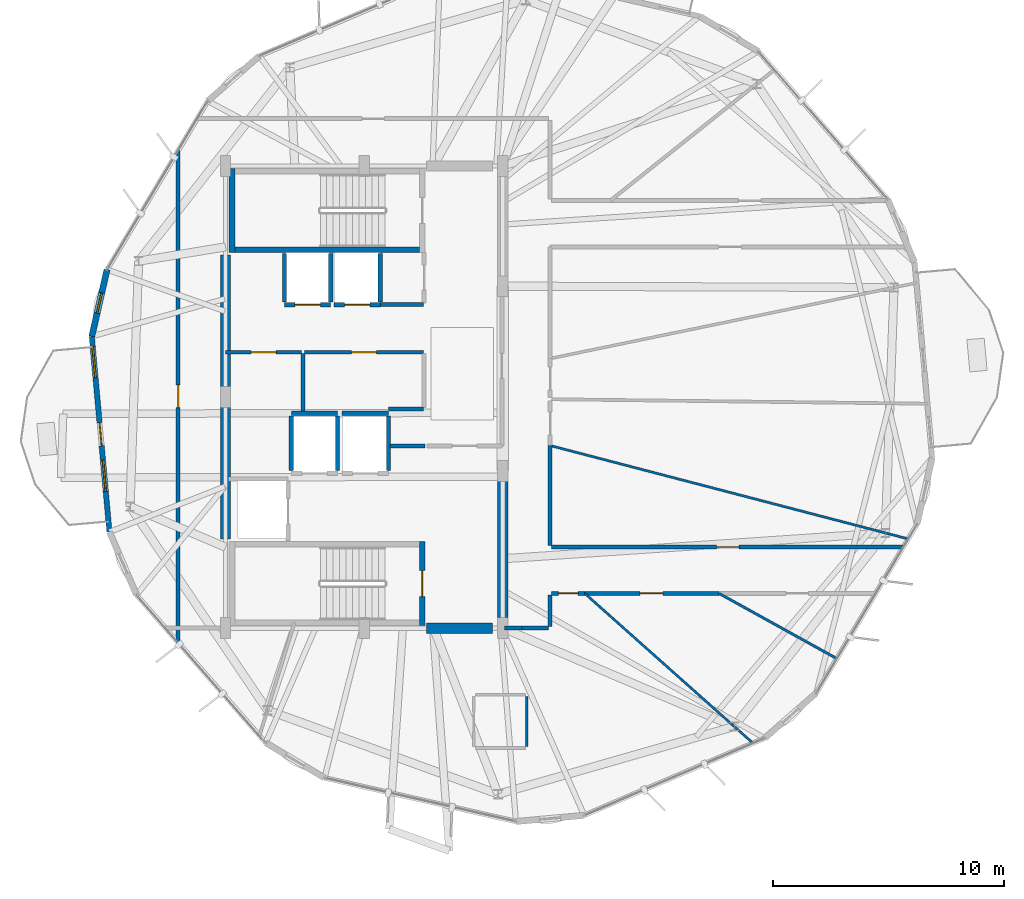
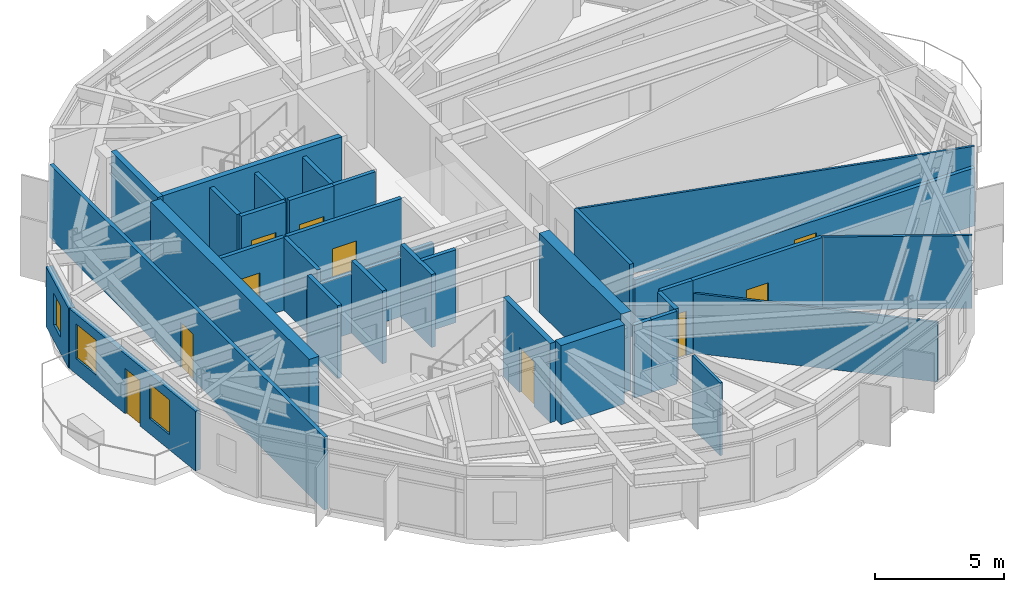
# One storey, part 18 of 23: 36 walls, 10 doors, 3 windows, 13 openings.
"""IFC4 building model written with IfcOpenShell, lengths in metres."""

from ifc_helpers import new_model, si_unit, direction, frame, frame_2d, origin, place, context, subcontext, project, spatial, rectangle, extrude, material, layer, layer_set, type_object, element, fill, save


model = new_model("IFC4")

# Units and contexts
model_context = context("Model", 3, precision=1e-05, world=origin(), true_north=direction((0.0, 1.0)))
body_context = subcontext(model_context, "Body", "Model", "MODEL_VIEW")
ifc_project = project(units=[si_unit("LENGTHUNIT", "METRE"), si_unit("AREAUNIT", "SQUARE_METRE"), si_unit("VOLUMEUNIT", "CUBIC_METRE"), si_unit("PLANEANGLEUNIT", "RADIAN"), si_unit("MASSUNIT", "GRAM", prefix="KILO")], contexts=[model_context])

# Site, building, storey
site_placement = place(None, origin())
site = spatial("IfcSite", under=ifc_project, at=site_placement, CompositionType="ELEMENT")
building_placement = place(site_placement, origin())
building = spatial("IfcBuilding", under=site, at=building_placement, Name="Soratama Intermodal Tower", CompositionType="ELEMENT")
storey_placement = place(building_placement, frame((0.0, 0.0, 250.0)))
storey = spatial("IfcBuildingStorey", under=building, at=storey_placement, Name="L63", CompositionType="ELEMENT", Elevation=250.0)

# Wall, openings, door, windows
ifc_material_1 = material(Name="Concrete f'c 42 MPa", Category="concrete")
ifc_layer_1 = layer(ifc_material_1, 0.22998046875)
ifc_layer_set_1 = layer_set([ifc_layer_1], Name="Concrete f'c 42 MPa")
wall_type_1 = type_object("IfcWallType", Name="EW-BAL-230", PredefinedType="SOLIDWALL", material=ifc_layer_set_1)
wall_1_placement = place(storey_placement, frame((26.810302734375, 27.62451171875, 0.0), z_axis=(0.0, 0.0, 1.0), x_axis=(0.089932307003, -0.995947880241, 0.0)))
wall_1 = element("IfcWall", 1, at=wall_1_placement, inside=storey, type_object=wall_type_1, Name="L63 Terrace Wall F04", PredefinedType="SOLIDWALL", context=body_context, shape_type="SweptSolid", body=[
    extrude(rectangle(XDim=8.499755859375, YDim=0.22998046875, at=frame_2d((4.25, 0.0))), origin(), (0.0, 0.0, 1.0), 2.8291015625),
])
opening_1_placement = place(wall_1_placement, frame((3.75, 0.0, 0.0)))
opening_1 = element("IfcOpeningElement", 2, at=opening_1_placement, cuts=wall_1, Name="Opening ED-2", PredefinedType="OPENING", context=body_context, shape_type="SweptSolid", body=[
    extrude(rectangle(XDim=1.0, YDim=2.14990234375, at=frame_2d((0.5, 1.074951171875))), frame((0.0, 0.125, 0.0), z_axis=(0.0, -1.0, 0.0), x_axis=(1.0, 0.0, 0.0)), (0.0, 0.0, 1.0), 0.25),
])
opening_2_placement = place(wall_1_placement, frame((0.43994140625, 0.0, 0.719970703125)))
opening_2 = element("IfcOpeningElement", 3, at=opening_2_placement, cuts=wall_1, Name="Opening WN-4", PredefinedType="OPENING", context=body_context, shape_type="SweptSolid", body=[
    extrude(rectangle(XDim=1.35009765625, YDim=1.64990234375, at=frame_2d((0.675048828125, 0.824951171875))), frame((0.0, 0.125, 0.0), z_axis=(0.0, -1.0, 0.0), x_axis=(1.0, 0.0, 0.0)), (0.0, 0.0, 1.0), 0.25),
])
opening_3_placement = place(wall_1_placement, frame((5.389892578125, 0.0, 0.719970703125)))
opening_3 = element("IfcOpeningElement", 4, at=opening_3_placement, cuts=wall_1, Name="Opening WN-4", PredefinedType="OPENING", context=body_context, shape_type="SweptSolid", body=[
    extrude(rectangle(XDim=1.35009765625, YDim=1.64990234375, at=frame_2d((0.675048828125, 0.824951171875))), frame((0.0, 0.125, 0.0), z_axis=(0.0, -1.0, 0.0), x_axis=(1.0, 0.0, 0.0)), (0.0, 0.0, 1.0), 0.25),
])
ifc_material_2 = material(Name="Double-glazed aluminium door", Category="aluminium")
door_type_1 = type_object("IfcDoorType", Name="DR-BAL-1000", OperationType="NOTDEFINED", PredefinedType="DOOR", material=ifc_material_2)
door_1_placement = place(opening_1_placement, origin())
door_1 = element("IfcDoor", 5, at=door_1_placement, inside=storey, type_object=door_type_1, Name="L63 Balcony Door F04", OperationType="SINGLE_SWING_RIGHT", OverallHeight=2.14990234375, OverallWidth=1.0, PredefinedType="DOOR", context=body_context, shape_type="SweptSolid", body=[
    extrude(rectangle(XDim=1.0, YDim=2.14990234375, at=frame_2d((0.5, 1.074951171875))), frame((0.0, 0.02490234375, 0.0), z_axis=(0.0, -1.0, 0.0), x_axis=(1.0, 0.0, 0.0)), (0.0, 0.0, 1.0), 0.050048828125),
])
fill(opening_1, door_1)
ifc_material_3 = material(Name="Double-glazed aluminium window", Category="aluminium")
window_type_1 = type_object("IfcWindowType", Name="WN-FAC-1350", PartitioningType="SINGLE_PANEL", PredefinedType="WINDOW", material=ifc_material_3)
window_1_placement = place(opening_2_placement, origin())
window_1 = element("IfcWindow", 6, at=window_1_placement, inside=storey, type_object=window_type_1, Name="L63 Window A F04", OverallHeight=1.64990234375, OverallWidth=1.35009765625, PartitioningType="SINGLE_PANEL", PredefinedType="WINDOW", context=body_context, shape_type="SweptSolid", body=[
    extrude(rectangle(XDim=1.35009765625, YDim=1.64990234375, at=frame_2d((0.675048828125, 0.824951171875))), frame((0.0, 0.030029296875, 0.0), z_axis=(0.0, -1.0, 0.0), x_axis=(1.0, 0.0, 0.0)), (0.0, 0.0, 1.0), 0.06005859375),
])
fill(opening_2, window_1)
window_2_placement = place(opening_3_placement, origin())
window_2 = element("IfcWindow", 7, at=window_2_placement, inside=storey, type_object=window_type_1, Name="L63 Window B F04", OverallHeight=1.64990234375, OverallWidth=1.35009765625, PartitioningType="SINGLE_PANEL", PredefinedType="WINDOW", context=body_context, shape_type="SweptSolid", body=[
    extrude(rectangle(XDim=1.35009765625, YDim=1.64990234375, at=frame_2d((0.675048828125, 0.824951171875))), frame((0.0, 0.030029296875, 0.0), z_axis=(0.0, -1.0, 0.0), x_axis=(1.0, 0.0, 0.0)), (0.0, 0.0, 1.0), 0.06005859375),
])
fill(opening_3, window_2)

# Wall, opening, window
ifc_material_4 = material(Name="Concrete f'c 42 MPa", Category="concrete")
ifc_layer_2 = layer(ifc_material_4, 0.27001953125)
ifc_layer_set_2 = layer_set([ifc_layer_2], Name="Concrete f'c 42 MPa")
wall_type_2 = type_object("IfcWallType", Name="EW-CRN-270", PredefinedType="SOLIDWALL", material=ifc_layer_set_2)
wall_2_placement = place(storey_placement, frame((27.469482421875, 30.51708984375, 0.0), z_axis=(0.0, 0.0, 1.0), x_axis=(-0.222190162384, -0.975003349604, 0.0)))
wall_2 = element("IfcWall", 8, at=wall_2_placement, inside=storey, type_object=wall_type_2, Name="L63 Corner Closure Wall 03", PredefinedType="SOLIDWALL", context=body_context, shape_type="SweptSolid", body=[
    extrude(rectangle(XDim=2.966796875, YDim=0.27001953125, at=frame_2d((1.4833984375, 0.0))), origin(), (0.0, 0.0, 1.0), 2.8291015625),
])
opening_4_placement = place(wall_2_placement, frame((1.033203125, 0.0, 0.75)))
opening_4 = element("IfcOpeningElement", 9, at=opening_4_placement, cuts=wall_2, Name="Opening WN-6", PredefinedType="OPENING", context=body_context, shape_type="SweptSolid", body=[
    extrude(rectangle(XDim=0.89990234375, YDim=1.5, at=frame_2d((0.449951171875, 0.75))), frame((0.0, 0.14501953125, 0.0), z_axis=(0.0, -1.0, 0.0), x_axis=(1.0, 0.0, 0.0)), (0.0, 0.0, 1.0), 0.2900390625),
])
ifc_material_5 = material(Name="Double-glazed aluminium window", Category="aluminium")
window_type_2 = type_object("IfcWindowType", Name="WN-FAC-900", PartitioningType="SINGLE_PANEL", PredefinedType="WINDOW", material=ifc_material_5)
window_3_placement = place(opening_4_placement, origin())
window_3 = element("IfcWindow", 10, at=window_3_placement, inside=storey, type_object=window_type_2, Name="L63 Corner Window 03", OverallHeight=1.5, OverallWidth=0.89990234375, PartitioningType="SINGLE_PANEL", PredefinedType="WINDOW", context=body_context, shape_type="SweptSolid", body=[
    extrude(rectangle(XDim=0.89990234375, YDim=1.5, at=frame_2d((0.449951171875, 0.75))), frame((0.0, 0.030029296875, 0.0), z_axis=(0.0, -1.0, 0.0), x_axis=(1.0, 0.0, 0.0)), (0.0, 0.0, 1.0), 0.06005859375),
])
fill(opening_4, window_3)

# Wall, opening, door
ifc_material_6 = material(Name="Fire-rated gypsum stud partition", Category="concrete")
ifc_layer_3 = layer(ifc_material_6, 0.169921875)
ifc_layer_set_3 = layer_set([ifc_layer_3], Name="Fire-rated gypsum stud partition")
wall_type_3 = type_object("IfcWallType", Name="IW-PART-R170", PredefinedType="PARTITIONING", material=ifc_layer_set_3)
wall_3_placement = place(storey_placement, frame((30.550048828125, 14.363037109375, 0.0), z_axis=(0.0, 0.0, 1.0), x_axis=(0.0, 1.0, 0.0)))
wall_3 = element("IfcWall", 11, at=wall_3_placement, inside=storey, type_object=wall_type_3, Name="L63 Partition W-L63-TP001", PredefinedType="PARTITIONING", context=body_context, shape_type="SweptSolid", body=[
    extrude(rectangle(XDim=21.31298828125, YDim=0.169921875, at=frame_2d((10.656494140625, 0.0))), origin(), (0.0, 0.0, 1.0), 3.449951171875),
])
opening_5_placement = place(wall_3_placement, frame((10.181884765625, 0.0, 0.0)))
opening_5 = element("IfcOpeningElement", 12, at=opening_5_placement, cuts=wall_3, Name="Opening ID-5", PredefinedType="OPENING", context=body_context, shape_type="SweptSolid", body=[
    extrude(rectangle(XDim=0.97998046875, YDim=2.14990234375, at=frame_2d((0.489990234375, 1.074951171875))), frame((0.0, 0.094970703125, 0.0), z_axis=(0.0, -1.0, 0.0), x_axis=(1.0, 0.0, 0.0)), (0.0, 0.0, 1.0), 0.18994140625),
])
ifc_material_7 = material(Name="Solid hardwood acoustic door", Category="wood")
door_type_2 = type_object("IfcDoorType", Name="DR-OFF-980", OperationType="NOTDEFINED", PredefinedType="DOOR", material=ifc_material_7)
door_2_placement = place(opening_5_placement, origin())
door_2 = element("IfcDoor", 13, at=door_2_placement, inside=storey, type_object=door_type_2, Name="L63 Door D-L63-TP001", OperationType="SINGLE_SWING_RIGHT", OverallHeight=2.14990234375, OverallWidth=0.97998046875, PredefinedType="DOOR", context=body_context, shape_type="SweptSolid", body=[
    extrude(rectangle(XDim=0.97998046875, YDim=2.14990234375, at=frame_2d((0.489990234375, 1.074951171875))), frame((0.0, 0.02490234375, 0.0), z_axis=(0.0, -1.0, 0.0), x_axis=(1.0, 0.0, 0.0)), (0.0, 0.0, 1.0), 0.050048828125),
])
fill(opening_5, door_2)

wall_4_placement = place(storey_placement, frame((46.719970703125, 18.5, 0.0), z_axis=(0.0, 0.0, 1.0), x_axis=(1.0, 0.0, 0.0)))
wall_4 = element("IfcWall", 14, at=wall_4_placement, inside=storey, type_object=wall_type_3, Name="L63 Partition W-L63-TP006", PredefinedType="PARTITIONING", context=body_context, shape_type="SweptSolid", body=[
    extrude(rectangle(XDim=15.22314453125, YDim=0.169921875, at=frame_2d((7.611572265625, 0.0))), origin(), (0.0, 0.0, 1.0), 2.7451171875),
])
opening_6_placement = place(wall_4_placement, frame((7.135986328125, 0.0, 0.0)))
opening_6 = element("IfcOpeningElement", 15, at=opening_6_placement, cuts=wall_4, Name="Opening ID-5", PredefinedType="OPENING", context=body_context, shape_type="SweptSolid", body=[
    extrude(rectangle(XDim=0.97998046875, YDim=2.14990234375, at=frame_2d((0.489990234375, 1.074951171875))), frame((0.0, 0.094970703125, 0.0), z_axis=(0.0, -1.0, 0.0), x_axis=(1.0, 0.0, 0.0)), (0.0, 0.0, 1.0), 0.18994140625),
])
door_3_placement = place(opening_6_placement, origin())
door_3 = element("IfcDoor", 16, at=door_3_placement, inside=storey, type_object=door_type_2, Name="L63 Door D-L63-TP003", OperationType="SINGLE_SWING_RIGHT", OverallHeight=2.14990234375, OverallWidth=0.97998046875, PredefinedType="DOOR", context=body_context, shape_type="SweptSolid", body=[
    extrude(rectangle(XDim=0.97998046875, YDim=2.14990234375, at=frame_2d((0.489990234375, 1.074951171875))), frame((0.0, 0.02490234375, 0.0), z_axis=(0.0, -1.0, 0.0), x_axis=(1.0, 0.0, 0.0)), (0.0, 0.0, 1.0), 0.050048828125),
])
fill(opening_6, door_3)

wall_5_placement = place(storey_placement, frame((53.9619140625, 16.5, 0.0), z_axis=(0.0, 0.0, 1.0), x_axis=(-1.0, 0.0, 0.0)))
wall_5 = element("IfcWall", 17, at=wall_5_placement, inside=storey, type_object=wall_type_3, Name="L63 Partition W-L63-TP014", PredefinedType="PARTITIONING", context=body_context, shape_type="SweptSolid", body=[
    extrude(rectangle(XDim=5.81298828125, YDim=0.169921875, at=frame_2d((2.906494140625, 0.0))), origin(), (0.0, 0.0, 1.0), 3.449951171875),
])
opening_7_placement = place(wall_5_placement, frame((2.431884765625, 0.0, 0.0)))
opening_7 = element("IfcOpeningElement", 18, at=opening_7_placement, cuts=wall_5, Name="Opening ID-5", PredefinedType="OPENING", context=body_context, shape_type="SweptSolid", body=[
    extrude(rectangle(XDim=0.97998046875, YDim=2.14990234375, at=frame_2d((0.489990234375, 1.074951171875))), frame((0.0, 0.094970703125, 0.0), z_axis=(0.0, -1.0, 0.0), x_axis=(1.0, 0.0, 0.0)), (0.0, 0.0, 1.0), 0.18994140625),
])
door_4_placement = place(opening_7_placement, origin())
door_4 = element("IfcDoor", 19, at=door_4_placement, inside=storey, type_object=door_type_2, Name="L63 Door D-L63-TP008", OperationType="SINGLE_SWING_LEFT", OverallHeight=2.14990234375, OverallWidth=0.97998046875, PredefinedType="DOOR", context=body_context, shape_type="SweptSolid", body=[
    extrude(rectangle(XDim=0.97998046875, YDim=2.14990234375, at=frame_2d((0.489990234375, 1.074951171875))), frame((0.0, 0.02490234375, 0.0), z_axis=(0.0, -1.0, 0.0), x_axis=(1.0, 0.0, 0.0)), (0.0, 0.0, 1.0), 0.050048828125),
])
fill(opening_7, door_4)

wall_6_placement = place(storey_placement, frame((41.159912109375, 26.93994140625, 0.0), z_axis=(0.0, 0.0, 1.0), x_axis=(-1.0, 0.0, 0.0)))
wall_6 = element("IfcWall", 20, at=wall_6_placement, inside=storey, type_object=wall_type_3, Name="L63 Partition W-L63-TP015", PredefinedType="PARTITIONING", context=body_context, shape_type="SweptSolid", body=[
    extrude(rectangle(XDim=5.14990234375, YDim=0.169921875, at=frame_2d((2.574951171875, 0.0))), origin(), (0.0, 0.0, 1.0), 3.449951171875),
])
opening_8_placement = place(wall_6_placement, frame((2.034912109375, 0.0, 0.0)))
opening_8 = element("IfcOpeningElement", 21, at=opening_8_placement, cuts=wall_6, Name="Opening ID-1", PredefinedType="OPENING", context=body_context, shape_type="SweptSolid", body=[
    extrude(rectangle(XDim=1.080078125, YDim=2.14990234375, at=frame_2d((0.5400390625, 1.074951171875))), frame((0.0, 0.094970703125, 0.0), z_axis=(0.0, -1.0, 0.0), x_axis=(1.0, 0.0, 0.0)), (0.0, 0.0, 1.0), 0.18994140625),
])
ifc_material_8 = material(Name="Solid hardwood acoustic door", Category="wood")
door_type_3 = type_object("IfcDoorType", Name="DR-LOB-FD60", OperationType="NOTDEFINED", PredefinedType="DOOR", material=ifc_material_8)
door_5_placement = place(opening_8_placement, origin())
door_5 = element("IfcDoor", 22, at=door_5_placement, inside=storey, type_object=door_type_3, Name="L63 Door D-L63-TP009", OperationType="SINGLE_SWING_RIGHT", OverallHeight=2.14990234375, OverallWidth=1.080078125, PredefinedType="DOOR", context=body_context, shape_type="SweptSolid", body=[
    extrude(rectangle(XDim=1.080078125, YDim=2.14990234375, at=frame_2d((0.5400390625, 1.074951171875))), frame((0.0, 0.02490234375, 0.0), z_axis=(0.0, -1.0, 0.0), x_axis=(1.0, 0.0, 0.0)), (0.0, 0.0, 1.0), 0.050048828125),
])
fill(opening_8, door_5)

# Wall
wall_7_placement = place(storey_placement, frame((46.64990234375, 22.90087890625, 0.0), z_axis=(0.0, 0.0, 1.0), x_axis=(0.0, -1.0, 0.0)))
element("IfcWall", 23, at=wall_7_placement, inside=storey, type_object=wall_type_3, Name="L63 Partition W-L63-TP018", PredefinedType="PARTITIONING", context=body_context, shape_type="SweptSolid", body=[
    extrude(rectangle(XDim=4.330810546875, YDim=0.169921875, at=frame_2d((2.16552734375, 0.0))), origin(), (0.0, 0.0, 1.0), 3.449951171875),
])

# Wall, opening, door
wall_8_placement = place(storey_placement, frame((35.889892578125, 26.93994140625, 0.0), z_axis=(0.0, 0.0, 1.0), x_axis=(-1.0, 0.0, 0.0)))
wall_8 = element("IfcWall", 24, at=wall_8_placement, inside=storey, type_object=wall_type_3, Name="L63 Partition W-L63-TP020", PredefinedType="PARTITIONING", context=body_context, shape_type="SweptSolid", body=[
    extrude(rectangle(XDim=3.289794921875, YDim=0.169921875, at=frame_2d((1.64501953125, 0.0))), origin(), (0.0, 0.0, 1.0), 3.449951171875),
])
opening_9_placement = place(wall_8_placement, frame((1.10498046875, 0.0, 0.0)))
opening_9 = element("IfcOpeningElement", 25, at=opening_9_placement, cuts=wall_8, Name="Opening ID-1", PredefinedType="OPENING", context=body_context, shape_type="SweptSolid", body=[
    extrude(rectangle(XDim=1.080078125, YDim=2.14990234375, at=frame_2d((0.5400390625, 1.074951171875))), frame((0.0, 0.094970703125, 0.0), z_axis=(0.0, -1.0, 0.0), x_axis=(1.0, 0.0, 0.0)), (0.0, 0.0, 1.0), 0.18994140625),
])
door_6_placement = place(opening_9_placement, origin())
door_6 = element("IfcDoor", 26, at=door_6_placement, inside=storey, type_object=door_type_3, Name="L63 Door D-L63-TP010", OperationType="SINGLE_SWING_LEFT", OverallHeight=2.14990234375, OverallWidth=1.080078125, PredefinedType="DOOR", context=body_context, shape_type="SweptSolid", body=[
    extrude(rectangle(XDim=1.080078125, YDim=2.14990234375, at=frame_2d((0.5400390625, 1.074951171875))), frame((0.0, 0.02490234375, 0.0), z_axis=(0.0, -1.0, 0.0), x_axis=(1.0, 0.0, 0.0)), (0.0, 0.0, 1.0), 0.050048828125),
])
fill(opening_9, door_6)

# Walls
wall_9_placement = place(storey_placement, frame((35.949951171875, 26.8798828125, 0.0), z_axis=(0.0, 0.0, 1.0), x_axis=(0.0, -1.0, 0.0)))
element("IfcWall", 27, at=wall_9_placement, inside=storey, type_object=wall_type_3, Name="L63 Partition W-L63-TP022", PredefinedType="PARTITIONING", context=body_context, shape_type="SweptSolid", body=[
    extrude(rectangle(XDim=2.579833984375, YDim=0.169921875, at=frame_2d((1.2900390625, 0.0))), origin(), (0.0, 0.0, 1.0), 3.449951171875),
])
wall_10_placement = place(storey_placement, frame((39.300048828125, 29.010009765625, 0.0), z_axis=(0.0, 0.0, 1.0), x_axis=(1.0, 0.0, 0.0)))
element("IfcWall", 28, at=wall_10_placement, inside=storey, type_object=wall_type_3, Name="L63 Partition W-L63-TP032", PredefinedType="PARTITIONING", context=body_context, shape_type="SweptSolid", body=[
    extrude(rectangle(XDim=1.85986328125, YDim=0.169921875, at=frame_2d((0.929931640625, 0.0))), origin(), (0.0, 0.0, 1.0), 3.449951171875),
])
wall_11_placement = place(storey_placement, frame((39.719970703125, 22.889892578125, 0.0), z_axis=(0.0, 0.0, 1.0), x_axis=(1.0, 0.0, 0.0)))
element("IfcWall", 29, at=wall_11_placement, inside=storey, type_object=wall_type_3, Name="L63 Partition W-L63-TP034", PredefinedType="PARTITIONING", context=body_context, shape_type="SweptSolid", body=[
    extrude(rectangle(XDim=1.52001953125, YDim=0.169921875, at=frame_2d((0.760009765625, 0.0))), origin(), (0.0, 0.0, 1.0), 3.449951171875),
])
wall_12_placement = place(storey_placement, frame((39.64990234375, 24.485107421875, 0.0), z_axis=(0.0, 0.0, 1.0), x_axis=(1.0, 0.0, 0.0)))
element("IfcWall", 30, at=wall_12_placement, inside=storey, type_object=wall_type_3, Name="L63 Partition W-L63-TP035", PredefinedType="PARTITIONING", context=body_context, shape_type="SweptSolid", body=[
    extrude(rectangle(XDim=1.510009765625, YDim=0.169921875, at=frame_2d((0.7548828125, 0.0))), origin(), (0.0, 0.0, 1.0), 2.823974609375),
])

# Wall, opening, door
wall_13_placement = place(storey_placement, frame((48.14892578125, 16.5, 0.0), z_axis=(0.0, 0.0, 1.0), x_axis=(-1.0, 0.0, 0.0)))
wall_13 = element("IfcWall", 31, at=wall_13_placement, inside=storey, type_object=wall_type_3, Name="L63 Partition W-L63-TP036", PredefinedType="PARTITIONING", context=body_context, shape_type="SweptSolid", body=[
    extrude(rectangle(XDim=1.428955078125, YDim=0.169921875, at=frame_2d((0.71435546875, 0.0))), origin(), (0.0, 0.0, 1.0), 3.449951171875),
])
opening_10_placement = place(wall_13_placement, frame((0.2900390625, 0.0, 0.0)))
opening_10 = element("IfcOpeningElement", 32, at=opening_10_placement, cuts=wall_13, Name="Opening ID-4", PredefinedType="OPENING", context=body_context, shape_type="SweptSolid", body=[
    extrude(rectangle(XDim=0.85009765625, YDim=2.10009765625, at=frame_2d((0.425048828125, 1.050048828125))), frame((0.0, 0.094970703125, 0.0), z_axis=(0.0, -1.0, 0.0), x_axis=(1.0, 0.0, 0.0)), (0.0, 0.0, 1.0), 0.18994140625),
])
ifc_material_9 = material(Name="Solid hardwood acoustic door", Category="wood")
door_type_4 = type_object("IfcDoorType", Name="DR-BATH-850", OperationType="NOTDEFINED", PredefinedType="DOOR", material=ifc_material_9)
door_7_placement = place(opening_10_placement, origin())
door_7 = element("IfcDoor", 33, at=door_7_placement, inside=storey, type_object=door_type_4, Name="L63 Door D-L63-TP016", OperationType="SINGLE_SWING_LEFT", OverallHeight=2.10009765625, OverallWidth=0.85009765625, PredefinedType="DOOR", context=body_context, shape_type="SweptSolid", body=[
    extrude(rectangle(XDim=0.85009765625, YDim=2.10009765625, at=frame_2d((0.425048828125, 1.050048828125))), frame((0.0, 0.02490234375, 0.0), z_axis=(0.0, -1.0, 0.0), x_axis=(1.0, 0.0, 0.0)), (0.0, 0.0, 1.0), 0.050048828125),
])
fill(opening_10, door_7)

# Walls
wall_14_placement = place(storey_placement, frame((46.64990234375, 16.429931640625, 0.0), z_axis=(0.0, 0.0, 1.0), x_axis=(0.0, -1.0, 0.0)))
element("IfcWall", 34, at=wall_14_placement, inside=storey, type_object=wall_type_3, Name="L63 Partition W-L63-TP037", PredefinedType="PARTITIONING", context=body_context, shape_type="SweptSolid", body=[
    extrude(rectangle(XDim=1.35986328125, YDim=0.169921875, at=frame_2d((0.679931640625, 0.0))), origin(), (0.0, 0.0, 1.0), 3.449951171875),
])
wall_15_placement = place(storey_placement, frame((46.580078125, 15.0, 0.0), z_axis=(0.0, 0.0, 1.0), x_axis=(-1.0, 0.0, 0.0)))
element("IfcWall", 35, at=wall_15_placement, inside=storey, type_object=wall_type_3, Name="L63 Partition W-L63-TP038", PredefinedType="PARTITIONING", context=body_context, shape_type="SweptSolid", body=[
    extrude(rectangle(XDim=1.13916015625, YDim=0.169921875, at=frame_2d((0.569580078125, 0.0))), origin(), (0.0, 0.0, 1.0), 3.449951171875),
])
wall_16_placement = place(storey_placement, frame((45.43896484375, 15.0, 0.0), z_axis=(0.0, 0.0, 1.0), x_axis=(-1.0, 0.0, 0.0)))
element("IfcWall", 36, at=wall_16_placement, inside=storey, type_object=wall_type_3, Name="L63 Partition W-L63-TP039", PredefinedType="PARTITIONING", context=body_context, shape_type="SweptSolid", body=[
    extrude(rectangle(XDim=0.76904296875, YDim=0.169921875, at=frame_2d((0.384521484375, 0.0))), origin(), (0.0, 0.0, 1.0), 3.449951171875),
])
ifc_material_10 = material(Name="Fire-rated gypsum stud partition", Category="concrete")
ifc_layer_4 = layer(ifc_material_10, 0.10009765625)
ifc_layer_set_4 = layer_set([ifc_layer_4], Name="Fire-rated gypsum stud partition")
wall_type_4 = type_object("IfcWallType", Name="IW-PART-S100", PredefinedType="PARTITIONING", material=ifc_layer_set_4)
wall_17_placement = place(storey_placement, frame((46.64990234375, 22.90087890625, 0.0), z_axis=(0.0, 0.0, 1.0), x_axis=(0.967653178401, -0.252284217364, 0.0)))
element("IfcWall", 37, at=wall_17_placement, inside=storey, type_object=wall_type_4, Name="L63 Partition W-L63-TP004", PredefinedType="PARTITIONING", context=body_context, shape_type="SweptSolid", body=[
    extrude(rectangle(XDim=16.025390625, YDim=0.10009765625, at=frame_2d((8.0126953125, 0.0))), origin(), (0.0, 0.0, 1.0), 3.449951171875),
])
wall_18_placement = place(storey_placement, frame((48.14892578125, 16.5, 0.0), z_axis=(0.0, 0.0, 1.0), x_axis=(0.746947801676, -0.664882682562, 0.0)))
element("IfcWall", 38, at=wall_18_placement, inside=storey, type_object=wall_type_4, Name="L63 Partition W-L63-TP009", PredefinedType="PARTITIONING", context=body_context, shape_type="SweptSolid", body=[
    extrude(rectangle(XDim=9.751953125, YDim=0.10009765625, at=frame_2d((4.8759765625, 0.0))), origin(), (0.0, 0.0, 1.0), 2.827880859375),
])
ifc_material_11 = material(Name="Fire-rated gypsum stud partition", Category="concrete")
ifc_layer_5 = layer(ifc_material_11, 0.110107421875)
ifc_layer_set_5 = layer_set([ifc_layer_5], Name="Fire-rated gypsum stud partition")
wall_type_5 = type_object("IfcWallType", Name="IW-PART-S110", PredefinedType="PARTITIONING", material=ifc_layer_set_5)
wall_19_placement = place(storey_placement, frame((53.9619140625, 16.5, 0.0), z_axis=(0.0, 0.0, 1.0), x_axis=(0.874991400217, -0.484138461131, 0.0)))
element("IfcWall", 39, at=wall_19_placement, inside=storey, type_object=wall_type_5, Name="L63 Partition W-L63-TP013", PredefinedType="PARTITIONING", context=body_context, shape_type="SweptSolid", body=[
    extrude(rectangle(XDim=5.8310546875, YDim=0.110107421875, at=frame_2d((2.91552734375, 0.0))), origin(), (0.0, 0.0, 1.0), 3.449951171875),
])
wall_20_placement = place(storey_placement, frame((45.64697265625, 9.876953125, 0.0), z_axis=(0.0, 0.0, 1.0), x_axis=(0.0, 1.0, 0.0)))
element("IfcWall", 40, at=wall_20_placement, inside=storey, type_object=wall_type_5, Name="L63 Partition W-L63-TP028", PredefinedType="PARTITIONING", context=body_context, shape_type="SweptSolid", body=[
    extrude(rectangle(XDim=2.16015625, YDim=0.110107421875, at=frame_2d((1.080078125, 0.0))), origin(), (0.0, 0.0, 1.0), 3.449951171875),
])
ifc_material_12 = material(Name="Concrete f'c 42 MPa", Category="concrete")
ifc_layer_6 = layer(ifc_material_12, 0.18505859375)
ifc_layer_set_6 = layer_set([ifc_layer_6], Name="Concrete f'c 42 MPa")
wall_type_6 = type_object("IfcWallType", Name="IW-SHAFT-185", PredefinedType="SOLIDWALL", material=ifc_layer_set_6)
wall_21_placement = place(storey_placement, frame((35.449951171875, 24.300048828125, 0.0), z_axis=(0.0, 0.0, 1.0), x_axis=(1.0, 0.0, 0.0)))
element("IfcWall", 41, at=wall_21_placement, inside=storey, type_object=wall_type_6, Name="L63 FFL-1 Hoistway Wall N", PredefinedType="SOLIDWALL", context=body_context, shape_type="SweptSolid", body=[
    extrude(rectangle(XDim=2.0, YDim=0.18505859375, at=frame_2d((1.0, 0.0))), origin(), (0.0, 0.0, 1.0), 2.823974609375),
])
for number, where, z_axis, x_axis, name in (
    (42, (35.449951171875, 21.81005859375, 0.0), (0.0, 0.0, 1.0), (0.0, 1.0, 0.0), "L63 FFL-1 Hoistway Wall W"),
    (43, (37.449951171875, 21.81005859375, 0.0), (0.0, 0.0, 1.0), (0.0, 1.0, 0.0), "L63 FFL-1 Hoistway Wall E"),
):
    element("IfcWall", number, at=place(storey_placement, frame(where, z_axis=z_axis, x_axis=x_axis)), inside=storey, type_object=wall_type_6, Name=name, PredefinedType="SOLIDWALL", context=body_context, shape_type="SweptSolid", body=[
        extrude(rectangle(XDim=2.3798828125, YDim=0.18505859375, at=frame_2d((1.18994140625, 0.0))), origin(), (0.0, 0.0, 1.0), 3.449951171875),
    ])
wall_22_placement = place(storey_placement, frame((37.64990234375, 24.300048828125, 0.0), z_axis=(0.0, 0.0, 1.0), x_axis=(1.0, 0.0, 0.0)))
element("IfcWall", 44, at=wall_22_placement, inside=storey, type_object=wall_type_6, Name="L63 FFL-2 Hoistway Wall N", PredefinedType="SOLIDWALL", context=body_context, shape_type="SweptSolid", body=[
    extrude(rectangle(XDim=2.0, YDim=0.18505859375, at=frame_2d((1.0, 0.0))), origin(), (0.0, 0.0, 1.0), 2.823974609375),
])
wall_23_placement = place(storey_placement, frame((39.64990234375, 21.81005859375, 0.0), z_axis=(0.0, 0.0, 1.0), x_axis=(0.0, 1.0, 0.0)))
element("IfcWall", 45, at=wall_23_placement, inside=storey, type_object=wall_type_6, Name="L63 FFL-2 Hoistway Wall E", PredefinedType="SOLIDWALL", context=body_context, shape_type="SweptSolid", body=[
    extrude(rectangle(XDim=2.3798828125, YDim=0.18505859375, at=frame_2d((1.18994140625, 0.0))), origin(), (0.0, 0.0, 1.0), 3.449951171875),
])

# Wall, opening, door
wall_24_placement = place(storey_placement, frame((35.14990234375, 29.0, 0.0), z_axis=(0.0, 0.0, 1.0), x_axis=(1.0, 0.0, 0.0)))
wall_24 = element("IfcWall", 46, at=wall_24_placement, inside=storey, type_object=wall_type_6, Name="L63 PL-H1 Hoistway Wall S", PredefinedType="SOLIDWALL", context=body_context, shape_type="SweptSolid", body=[
    extrude(rectangle(XDim=2.0, YDim=0.18505859375, at=frame_2d((1.0, 0.0))), origin(), (0.0, 0.0, 1.0), 3.449951171875),
])
opening_11_placement = place(wall_24_placement, frame((0.449951171875, 0.0, 0.0)))
opening_11 = element("IfcOpeningElement", 47, at=opening_11_placement, cuts=wall_24, Name="Opening LD-1", PredefinedType="OPENING", context=body_context, shape_type="SweptSolid", body=[
    extrude(rectangle(XDim=1.10009765625, YDim=2.14990234375, at=frame_2d((0.550048828125, 1.074951171875))), frame((0.0, 0.1025390625, 0.0), z_axis=(0.0, -1.0, 0.0), x_axis=(1.0, 0.0, 0.0)), (0.0, 0.0, 1.0), 0.205078125),
])
ifc_material_13 = material(Name="Steel fire door", Category="steel")
door_type_5 = type_object("IfcDoorType", Name="DR-LIFT-SLIDE", OperationType="NOTDEFINED", PredefinedType="DOOR", material=ifc_material_13)
door_8_placement = place(opening_11_placement, origin())
door_8 = element("IfcDoor", 48, at=door_8_placement, inside=storey, type_object=door_type_5, Name="L63 PL-H1 Sliding Landing Door", OperationType="SLIDING_TO_LEFT", OverallHeight=2.14990234375, OverallWidth=1.10009765625, PredefinedType="DOOR", context=body_context, shape_type="SweptSolid", body=[
    extrude(rectangle(XDim=1.10009765625, YDim=2.14990234375, at=frame_2d((0.550048828125, 1.074951171875))), frame((0.0, 0.02490234375, 0.0), z_axis=(0.0, -1.0, 0.0), x_axis=(1.0, 0.0, 0.0)), (0.0, 0.0, 1.0), 0.050048828125),
])
fill(opening_11, door_8)

# Walls
for number, where, z_axis, x_axis, name in (
    (49, (35.14990234375, 29.110107421875, 0.0), (0.0, 0.0, 1.0), (0.0, 1.0, 0.0), "L63 PL-H1 Hoistway Wall W"),
    (50, (37.14990234375, 29.110107421875, 0.0), (0.0, 0.0, 1.0), (0.0, 1.0, 0.0), "L63 PL-H1 Hoistway Wall E"),
):
    element("IfcWall", number, at=place(storey_placement, frame(where, z_axis=z_axis, x_axis=x_axis)), inside=storey, type_object=wall_type_6, Name=name, PredefinedType="SOLIDWALL", context=body_context, shape_type="SweptSolid", body=[
        extrude(rectangle(XDim=2.099853515625, YDim=0.18505859375, at=frame_2d((1.0498046875, 0.0))), origin(), (0.0, 0.0, 1.0), 3.449951171875),
    ])

# Wall, opening, door
wall_25_placement = place(storey_placement, frame((37.300048828125, 29.0, 0.0), z_axis=(0.0, 0.0, 1.0), x_axis=(1.0, 0.0, 0.0)))
wall_25 = element("IfcWall", 51, at=wall_25_placement, inside=storey, type_object=wall_type_6, Name="L63 PL-H2 Hoistway Wall S", PredefinedType="SOLIDWALL", context=body_context, shape_type="SweptSolid", body=[
    extrude(rectangle(XDim=2.0, YDim=0.18505859375, at=frame_2d((1.0, 0.0))), origin(), (0.0, 0.0, 1.0), 3.449951171875),
])
opening_12_placement = place(wall_25_placement, frame((0.449951171875, 0.0, 0.0)))
opening_12 = element("IfcOpeningElement", 52, at=opening_12_placement, cuts=wall_25, Name="Opening LD-1", PredefinedType="OPENING", context=body_context, shape_type="SweptSolid", body=[
    extrude(rectangle(XDim=1.10009765625, YDim=2.14990234375, at=frame_2d((0.550048828125, 1.074951171875))), frame((0.0, 0.1025390625, 0.0), z_axis=(0.0, -1.0, 0.0), x_axis=(1.0, 0.0, 0.0)), (0.0, 0.0, 1.0), 0.205078125),
])
door_9_placement = place(opening_12_placement, origin())
door_9 = element("IfcDoor", 53, at=door_9_placement, inside=storey, type_object=door_type_5, Name="L63 PL-H2 Sliding Landing Door", OperationType="SLIDING_TO_LEFT", OverallHeight=2.14990234375, OverallWidth=1.10009765625, PredefinedType="DOOR", context=body_context, shape_type="SweptSolid", body=[
    extrude(rectangle(XDim=1.10009765625, YDim=2.14990234375, at=frame_2d((0.550048828125, 1.074951171875))), frame((0.0, 0.02490234375, 0.0), z_axis=(0.0, -1.0, 0.0), x_axis=(1.0, 0.0, 0.0)), (0.0, 0.0, 1.0), 0.050048828125),
])
fill(opening_12, door_9)

# Walls
wall_26_placement = place(storey_placement, frame((39.300048828125, 29.110107421875, 0.0), z_axis=(0.0, 0.0, 1.0), x_axis=(0.0, 1.0, 0.0)))
element("IfcWall", 54, at=wall_26_placement, inside=storey, type_object=wall_type_6, Name="L63 PL-H2 Hoistway Wall E", PredefinedType="SOLIDWALL", context=body_context, shape_type="SweptSolid", body=[
    extrude(rectangle(XDim=2.099853515625, YDim=0.18505859375, at=frame_2d((1.0498046875, 0.0))), origin(), (0.0, 0.0, 1.0), 3.449951171875),
])
ifc_material_14 = material(Name="Concrete f'c 56 MPa", Category="concrete")
ifc_layer_7 = layer(ifc_material_14, 0.449951171875)
ifc_layer_set_7 = layer_set([ifc_layer_7], Name="Concrete f'c 56 MPa")
wall_type_7 = type_object("IfcWallType", Name="SW-CORE-450", PredefinedType="SHEAR", material=ifc_layer_set_7)
wall_27_placement = place(storey_placement, frame((32.60009765625, 18.85009765625, 0.0), z_axis=(0.0, 0.0, 1.0), x_axis=(0.0, 1.0, 0.0)))
element("IfcWall", 55, at=wall_27_placement, inside=storey, type_object=wall_type_7, Name="L63 Core Shear Wall CW-WMID", PredefinedType="SHEAR", context=body_context, shape_type="SweptSolid", body=[
    extrude(rectangle(XDim=12.2998046875, YDim=0.449951171875, at=frame_2d((6.14990234375, 0.0))), origin(), (0.0, 0.0, 1.0), 3.75),
])
wall_28_placement = place(storey_placement, frame((41.300048828125, 15.0, 0.0), z_axis=(0.0, 0.0, 1.0), x_axis=(1.0, 0.0, 0.0)))
element("IfcWall", 56, at=wall_28_placement, inside=storey, type_object=wall_type_7, Name="L63 Core Shear Wall CW-SE", PredefinedType="SHEAR", context=body_context, shape_type="SweptSolid", body=[
    extrude(rectangle(XDim=2.849853515625, YDim=0.449951171875, at=frame_2d((1.4248046875, 0.0))), origin(), (0.0, 0.0, 1.0), 3.75),
])
wall_29_placement = place(storey_placement, frame((44.60009765625, 15.449951171875, 0.0), z_axis=(0.0, 0.0, 1.0), x_axis=(0.0, 1.0, 0.0)))
element("IfcWall", 57, at=wall_29_placement, inside=storey, type_object=wall_type_7, Name="L63 Core Shear Wall CW-ES", PredefinedType="SHEAR", context=body_context, shape_type="SweptSolid", body=[
    extrude(rectangle(XDim=6.35009765625, YDim=0.449951171875, at=frame_2d((3.175048828125, 0.0))), origin(), (0.0, 0.0, 1.0), 3.75),
])

# Wall, opening, door
ifc_material_15 = material(Name="Concrete f'c 56 MPa", Category="concrete")
ifc_layer_8 = layer(ifc_material_15, 0.239990234375)
ifc_layer_set_8 = layer_set([ifc_layer_8], Name="Concrete f'c 56 MPa")
wall_type_8 = type_object("IfcWallType", Name="SW-STAIR-240", PredefinedType="SHEAR", material=ifc_layer_set_8)
wall_30_placement = place(storey_placement, frame((41.1201171875, 15.110107421875, 0.0), z_axis=(0.0, 0.0, 1.0), x_axis=(0.0, 1.0, 0.0)))
wall_30 = element("IfcWall", 58, at=wall_30_placement, inside=storey, type_object=wall_type_8, Name="L63 ST-1 Shaft Shear Wall E", PredefinedType="SHEAR", context=body_context, shape_type="SweptSolid", body=[
    extrude(rectangle(XDim=3.6298828125, YDim=0.239990234375, at=frame_2d((1.81494140625, 0.0))), origin(), (0.0, 0.0, 1.0), 3.75),
])
opening_13_placement = place(wall_30_placement, frame((1.2548828125, 0.0, 0.0)))
opening_13 = element("IfcOpeningElement", 59, at=opening_13_placement, cuts=wall_30, Name="Opening SD-1", PredefinedType="OPENING", context=body_context, shape_type="SweptSolid", body=[
    extrude(rectangle(XDim=1.1201171875, YDim=2.14990234375, at=frame_2d((0.56005859375, 1.074951171875))), frame((0.0, 0.1298828125, 0.0), z_axis=(0.0, -1.0, 0.0), x_axis=(1.0, 0.0, 0.0)), (0.0, 0.0, 1.0), 0.260009765625),
])
ifc_material_16 = material(Name="Steel fire door", Category="steel")
door_type_6 = type_object("IfcDoorType", Name="DR-STAIR-FD90", OperationType="NOTDEFINED", PredefinedType="DOOR", material=ifc_material_16)
door_10_placement = place(opening_13_placement, origin())
door_10 = element("IfcDoor", 60, at=door_10_placement, inside=storey, type_object=door_type_6, Name="L63 ST-1 Exit Stair Door", OperationType="SINGLE_SWING_LEFT", OverallHeight=2.14990234375, OverallWidth=1.1201171875, PredefinedType="DOOR", context=body_context, shape_type="SweptSolid", body=[
    extrude(rectangle(XDim=1.1201171875, YDim=2.14990234375, at=frame_2d((0.56005859375, 1.074951171875))), frame((0.0, 0.02490234375, 0.0), z_axis=(0.0, -1.0, 0.0), x_axis=(1.0, 0.0, 0.0)), (0.0, 0.0, 1.0), 0.050048828125),
])
fill(opening_13, door_10)

# Walls
wall_31_placement = place(storey_placement, frame((32.8798828125, 31.260009765625, 0.0), z_axis=(0.0, 0.0, 1.0), x_axis=(0.0, 1.0, 0.0)))
element("IfcWall", 61, at=wall_31_placement, inside=storey, type_object=wall_type_8, Name="L63 ST-2 Shaft Shear Wall W", PredefinedType="SHEAR", context=body_context, shape_type="SweptSolid", body=[
    extrude(rectangle(XDim=3.6298828125, YDim=0.239990234375, at=frame_2d((1.81494140625, 0.0))), origin(), (0.0, 0.0, 1.0), 3.75),
])
wall_32_placement = place(storey_placement, frame((33.0, 31.3798828125, 0.0), z_axis=(0.0, 0.0, 1.0), x_axis=(1.0, 0.0, 0.0)))
element("IfcWall", 62, at=wall_32_placement, inside=storey, type_object=wall_type_8, Name="L63 ST-2 Shaft Shear Wall S", PredefinedType="SHEAR", context=body_context, shape_type="SweptSolid", body=[
    extrude(rectangle(XDim=8.0, YDim=0.239990234375, at=frame_2d((4.0, 0.0))), origin(), (0.0, 0.0, 1.0), 3.75),
])

save(model, "model.ifc")
